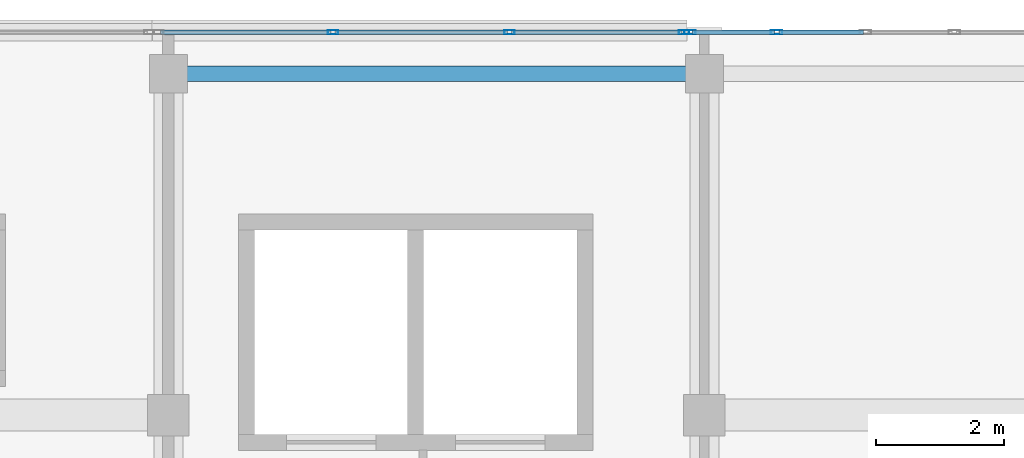
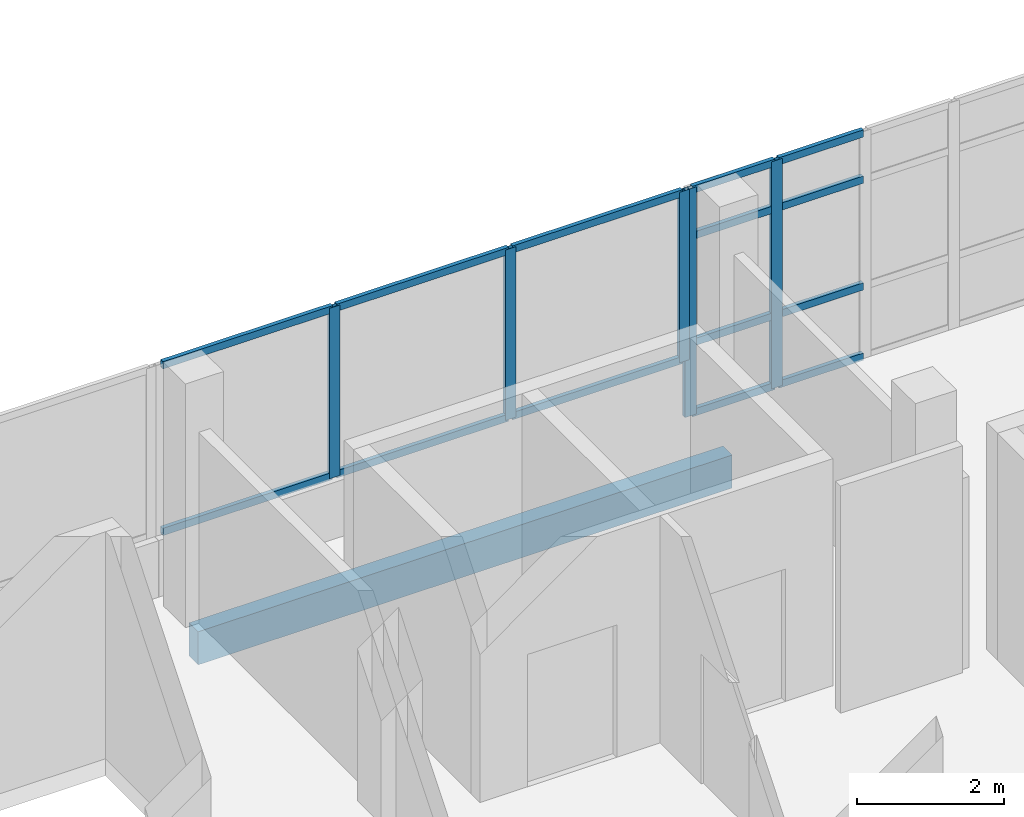
# One storey, part 36 of 78: 19 members, 1 beam, 2 elements without a shape of their own.
"""IFC4 building model written with IfcOpenShell, lengths in metres."""

from ifc_helpers import new_model, si_unit, direction, frame, origin, origin_2d, place, context, subcontext, project, spatial, rectangle, hollow_rectangle, extrude, material, material_profile, profile_set, type_object, element, aggregate, save


model = new_model("IFC4")

# Units and contexts
model_context = context("Model", 3, precision=1e-05, world=origin(), true_north=direction((0.0, 1.0)))
body_context = subcontext(model_context, "Body", "Model", "MODEL_VIEW")
ifc_project = project(units=[si_unit("LENGTHUNIT", "METRE"), si_unit("AREAUNIT", "SQUARE_METRE"), si_unit("VOLUMEUNIT", "CUBIC_METRE"), si_unit("PLANEANGLEUNIT", "RADIAN"), si_unit("MASSUNIT", "GRAM", prefix="KILO")], contexts=[model_context])

# Site, building, storey
site_placement = place(None, origin())
site = spatial("IfcSite", under=ifc_project, at=site_placement, CompositionType="ELEMENT")
building_placement = place(site_placement, origin())
building = spatial("IfcBuilding", under=site, at=building_placement, Name="Selatvlak General Hospital", CompositionType="ELEMENT")
storey_placement = place(building_placement, frame((0.0, 0.0, 23.25)))
storey = spatial("IfcBuildingStorey", under=building, at=storey_placement, Name="L05", CompositionType="ELEMENT", Elevation=23.25)

# Beam
ifc_material_1 = material(Name="Concrete C40/50", Category="concrete")
ifc_material_profile_1 = material_profile(ifc_material_1, rectangle(XDim=0.25, YDim=0.550048828125, at=origin_2d()), Name="RC-SP 250x550")
ifc_profile_set_1 = profile_set([ifc_material_profile_1], Name="Concrete C40/50")
beam_type = type_object("IfcBeamType", Name="BM-SP2", PredefinedType="SPANDREL", material=ifc_profile_set_1)
beam_placement = place(storey_placement, frame((123.60009765625, 119.35009765625, -0.554931640625), z_axis=(1.0, 0.0, 0.0), x_axis=(0.0, 1.0, 0.0)))
element("IfcBeam", 1, at=beam_placement, inside=storey, type_object=beam_type, Name="Beam BMR-L05-1982", PredefinedType="SPANDREL", context=body_context, shape_type="SweptSolid", body=[
    extrude(rectangle(XDim=0.25, YDim=0.550048828125, at=origin_2d()), origin(), (0.0, 0.0, 1.0), 8.39990234375),
])

# Curtain wall, members
ifc_material_2 = material(Name="Solar-control Low-E double glazing", Category="glass")
curtain_wall_type_1 = type_object("IfcCurtainWallType", Name="CW-CW-01", PredefinedType="USERDEFINED", material=ifc_material_2)
curtain_wall_1_placement = place(storey_placement, origin())
curtain_wall_1 = element("IfcCurtainWall", 2, at=curtain_wall_1_placement, inside=storey, type_object=curtain_wall_type_1, Name="Glazed facade curtain wall CW-L05-0559", ObjectType="UNITISED CURTAIN WALL", PredefinedType="USERDEFINED")
ifc_material_3 = material(Name="Dark anodised aluminium mullion", Category="aluminium")
ifc_material_profile_2 = material_profile(ifc_material_3, hollow_rectangle(XDim=0.06494140625, YDim=0.159912109375, WallThickness=0.00390625, at=origin_2d()), Name="AL-MUL 65x160x4")
ifc_profile_set_2 = profile_set([ifc_material_profile_2], Name="Dark anodised aluminium mullion")
member_type_1 = type_object("IfcMemberType", Name="CWM-01", PredefinedType="MULLION", material=ifc_profile_set_2)
member_1_placement = place(storey_placement, frame((126.17822265625, 120.0, 0.93994140625), z_axis=(0.0, 0.0, 1.0), x_axis=(0.0, 1.0, 0.0)))
member_1 = element("IfcMember", 3, at=member_1_placement, type_object=member_type_1, Name="CW-01 mullion 2", PredefinedType="MULLION", context=body_context, shape_type="SweptSolid", body=[
    extrude(hollow_rectangle(XDim=0.06494140625, YDim=0.159912109375, WallThickness=0.00390625, at=origin_2d()), origin(), (0.0, 0.0, 1.0), 2.8349609375),
])
member_2_placement = place(storey_placement, frame((128.944580078125, 120.0, 0.93994140625), z_axis=(0.0, 0.0, 1.0), x_axis=(0.0, 1.0, 0.0)))
member_2 = element("IfcMember", 4, at=member_2_placement, type_object=member_type_1, Name="CW-01 mullion 3", PredefinedType="MULLION", context=body_context, shape_type="SweptSolid", body=[
    extrude(hollow_rectangle(XDim=0.06494140625, YDim=0.159912109375, WallThickness=0.00390625, at=origin_2d()), origin(), (0.0, 0.0, 1.0), 2.8349609375),
])
member_3_placement = place(storey_placement, frame((131.678466796875, 120.0, 0.93994140625), z_axis=(0.0, 0.0, 1.0), x_axis=(0.0, 1.0, 0.0)))
member_3 = element("IfcMember", 5, at=member_3_placement, type_object=member_type_1, Name="CW-01 mullion 4", PredefinedType="MULLION", context=body_context, shape_type="SweptSolid", body=[
    extrude(hollow_rectangle(XDim=0.06494140625, YDim=0.159912109375, WallThickness=0.00390625, at=origin_2d()), origin(), (0.0, 0.0, 1.0), 2.8349609375),
])

curtain_wall_type_2 = type_object("IfcCurtainWallType", Name="CW-CW-04", PredefinedType="USERDEFINED", material=ifc_material_2)
curtain_wall_2_placement = place(storey_placement, origin())
curtain_wall_2 = element("IfcCurtainWall", 6, at=curtain_wall_2_placement, inside=storey, type_object=curtain_wall_type_2, Name="Glazed facade curtain wall CW-L05-0560", ObjectType="STICK GLAZING WALL", PredefinedType="USERDEFINED")
ifc_material_profile_3 = material_profile(ifc_material_3, hollow_rectangle(XDim=0.06494140625, YDim=0.179931640625, WallThickness=0.00439453125, at=origin_2d()), Name="AL-MUL 65x180x4.5")
ifc_profile_set_3 = profile_set([ifc_material_profile_3], Name="Dark anodised aluminium mullion")
member_type_2 = type_object("IfcMemberType", Name="CWM-02", PredefinedType="MULLION", material=ifc_profile_set_3)
member_4_placement = place(storey_placement, frame((131.7734375, 120.0, 0.0), z_axis=(0.0, 0.0, 1.0), x_axis=(0.0, 1.0, 0.0)))
member_4 = element("IfcMember", 7, at=member_4_placement, type_object=member_type_2, Name="CW-04 mullion 1", PredefinedType="MULLION", context=body_context, shape_type="SweptSolid", body=[
    extrude(hollow_rectangle(XDim=0.06494140625, YDim=0.179931640625, WallThickness=0.00439453125, at=origin_2d()), origin(), (0.0, 0.0, 1.0), 3.77490234375),
])
member_5_placement = place(storey_placement, frame((133.132568359375, 120.0, 0.0), z_axis=(0.0, 0.0, 1.0), x_axis=(0.0, 1.0, 0.0)))
member_5 = element("IfcMember", 8, at=member_5_placement, type_object=member_type_2, Name="CW-04 mullion 2", PredefinedType="MULLION", context=body_context, shape_type="SweptSolid", body=[
    extrude(hollow_rectangle(XDim=0.06494140625, YDim=0.179931640625, WallThickness=0.00439453125, at=origin_2d()), origin(), (0.0, 0.0, 1.0), 3.77490234375),
])

# Member
ifc_material_profile_4 = material_profile(ifc_material_3, hollow_rectangle(XDim=0.06494140625, YDim=0.1201171875, WallThickness=0.00390625, at=origin_2d()), Name="AL-TRN 65x120x4")
ifc_profile_set_4 = profile_set([ifc_material_profile_4], Name="Dark anodised aluminium mullion")
member_type_3 = type_object("IfcMemberType", Name="CWT-01", PredefinedType="USERDEFINED", material=ifc_profile_set_4)
member_6_placement = place(storey_placement, frame((123.47705078125, 120.0, 0.972412109375), z_axis=(1.0, 0.0, 0.0), x_axis=(0.0, 1.0, 0.0)))
member_6 = element("IfcMember", 9, at=member_6_placement, type_object=member_type_3, Name="CW-01 transom 1.1", ObjectType="TRANSOM", PredefinedType="USERDEFINED", context=body_context, shape_type="SweptSolid", body=[
    extrude(hollow_rectangle(XDim=0.06494140625, YDim=0.1201171875, WallThickness=0.00390625, at=origin_2d()), origin(), (0.0, 0.0, 1.0), 2.668701171875),
])

member_7_placement = place(storey_placement, frame((123.47705078125, 120.0, 3.742431640625), z_axis=(1.0, 0.0, 0.0), x_axis=(0.0, 1.0, 0.0)))
member_7 = element("IfcMember", 10, at=member_7_placement, type_object=member_type_3, Name="CW-01 transom 1.2", ObjectType="TRANSOM", PredefinedType="USERDEFINED", context=body_context, shape_type="SweptSolid", body=[
    extrude(hollow_rectangle(XDim=0.06494140625, YDim=0.1201171875, WallThickness=0.00390625, at=origin_2d()), origin(), (0.0, 0.0, 1.0), 2.668701171875),
])

member_8_placement = place(storey_placement, frame((126.2109375, 120.0, 0.972412109375), z_axis=(1.0, 0.0, 0.0), x_axis=(0.0, 1.0, 0.0)))
member_8 = element("IfcMember", 11, at=member_8_placement, type_object=member_type_3, Name="CW-01 transom 2.1", ObjectType="TRANSOM", PredefinedType="USERDEFINED", context=body_context, shape_type="SweptSolid", body=[
    extrude(hollow_rectangle(XDim=0.06494140625, YDim=0.1201171875, WallThickness=0.00390625, at=origin_2d()), origin(), (0.0, 0.0, 1.0), 2.701171875),
])

member_9_placement = place(storey_placement, frame((126.2109375, 120.0, 3.742431640625), z_axis=(1.0, 0.0, 0.0), x_axis=(0.0, 1.0, 0.0)))
member_9 = element("IfcMember", 12, at=member_9_placement, type_object=member_type_3, Name="CW-01 transom 2.2", ObjectType="TRANSOM", PredefinedType="USERDEFINED", context=body_context, shape_type="SweptSolid", body=[
    extrude(hollow_rectangle(XDim=0.06494140625, YDim=0.1201171875, WallThickness=0.00390625, at=origin_2d()), origin(), (0.0, 0.0, 1.0), 2.701171875),
])

member_10_placement = place(storey_placement, frame((128.97705078125, 120.0, 0.972412109375), z_axis=(1.0, 0.0, 0.0), x_axis=(0.0, 1.0, 0.0)))
member_10 = element("IfcMember", 13, at=member_10_placement, type_object=member_type_3, Name="CW-01 transom 3.1", ObjectType="TRANSOM", PredefinedType="USERDEFINED", context=body_context, shape_type="SweptSolid", body=[
    extrude(hollow_rectangle(XDim=0.06494140625, YDim=0.1201171875, WallThickness=0.00390625, at=origin_2d()), origin(), (0.0, 0.0, 1.0), 2.6689453125),
])

member_11_placement = place(storey_placement, frame((128.97705078125, 120.0, 3.742431640625), z_axis=(1.0, 0.0, 0.0), x_axis=(0.0, 1.0, 0.0)))
member_11 = element("IfcMember", 14, at=member_11_placement, type_object=member_type_3, Name="CW-01 transom 3.2", ObjectType="TRANSOM", PredefinedType="USERDEFINED", context=body_context, shape_type="SweptSolid", body=[
    extrude(hollow_rectangle(XDim=0.06494140625, YDim=0.1201171875, WallThickness=0.00390625, at=origin_2d()), origin(), (0.0, 0.0, 1.0), 2.6689453125),
])

aggregate(curtain_wall_1, [member_1, member_2, member_3, member_6, member_7, member_8, member_9, member_10, member_11])

member_12_placement = place(storey_placement, frame((131.805908203125, 120.0, 0.032470703125), z_axis=(1.0, 0.0, 0.0), x_axis=(0.0, 1.0, 0.0)))
member_12 = element("IfcMember", 15, at=member_12_placement, type_object=member_type_3, Name="CW-04 transom 1.1", ObjectType="TRANSOM", PredefinedType="USERDEFINED", context=body_context, shape_type="SweptSolid", body=[
    extrude(hollow_rectangle(XDim=0.06494140625, YDim=0.1201171875, WallThickness=0.00390625, at=origin_2d()), origin(), (0.0, 0.0, 1.0), 1.294189453125),
])

member_13_placement = place(storey_placement, frame((131.805908203125, 120.0, 1.199951171875), z_axis=(1.0, 0.0, 0.0), x_axis=(0.0, 1.0, 0.0)))
member_13 = element("IfcMember", 16, at=member_13_placement, type_object=member_type_3, Name="CW-04 transom 1.2", ObjectType="TRANSOM", PredefinedType="USERDEFINED", context=body_context, shape_type="SweptSolid", body=[
    extrude(hollow_rectangle(XDim=0.06494140625, YDim=0.1201171875, WallThickness=0.00390625, at=origin_2d()), origin(), (0.0, 0.0, 1.0), 1.294189453125),
])

member_14_placement = place(storey_placement, frame((131.805908203125, 120.0, 2.97509765625), z_axis=(1.0, 0.0, 0.0), x_axis=(0.0, 1.0, 0.0)))
member_14 = element("IfcMember", 17, at=member_14_placement, type_object=member_type_3, Name="CW-04 transom 1.3", ObjectType="TRANSOM", PredefinedType="USERDEFINED", context=body_context, shape_type="SweptSolid", body=[
    extrude(hollow_rectangle(XDim=0.06494140625, YDim=0.1201171875, WallThickness=0.00390625, at=origin_2d()), origin(), (0.0, 0.0, 1.0), 1.294189453125),
])

member_15_placement = place(storey_placement, frame((131.805908203125, 120.0, 3.742431640625), z_axis=(1.0, 0.0, 0.0), x_axis=(0.0, 1.0, 0.0)))
member_15 = element("IfcMember", 18, at=member_15_placement, type_object=member_type_3, Name="CW-04 transom 1.4", ObjectType="TRANSOM", PredefinedType="USERDEFINED", context=body_context, shape_type="SweptSolid", body=[
    extrude(hollow_rectangle(XDim=0.06494140625, YDim=0.1201171875, WallThickness=0.00390625, at=origin_2d()), origin(), (0.0, 0.0, 1.0), 1.294189453125),
])

member_16_placement = place(storey_placement, frame((133.1650390625, 120.0, 0.032470703125), z_axis=(1.0, 0.0, 0.0), x_axis=(0.0, 1.0, 0.0)))
member_16 = element("IfcMember", 19, at=member_16_placement, type_object=member_type_3, Name="CW-04 transom 2.1", ObjectType="TRANSOM", PredefinedType="USERDEFINED", context=body_context, shape_type="SweptSolid", body=[
    extrude(hollow_rectangle(XDim=0.06494140625, YDim=0.1201171875, WallThickness=0.00390625, at=origin_2d()), origin(), (0.0, 0.0, 1.0), 1.326416015625),
])

member_17_placement = place(storey_placement, frame((133.1650390625, 120.0, 1.199951171875), z_axis=(1.0, 0.0, 0.0), x_axis=(0.0, 1.0, 0.0)))
member_17 = element("IfcMember", 20, at=member_17_placement, type_object=member_type_3, Name="CW-04 transom 2.2", ObjectType="TRANSOM", PredefinedType="USERDEFINED", context=body_context, shape_type="SweptSolid", body=[
    extrude(hollow_rectangle(XDim=0.06494140625, YDim=0.1201171875, WallThickness=0.00390625, at=origin_2d()), origin(), (0.0, 0.0, 1.0), 1.326416015625),
])

member_18_placement = place(storey_placement, frame((133.1650390625, 120.0, 2.97509765625), z_axis=(1.0, 0.0, 0.0), x_axis=(0.0, 1.0, 0.0)))
member_18 = element("IfcMember", 21, at=member_18_placement, type_object=member_type_3, Name="CW-04 transom 2.3", ObjectType="TRANSOM", PredefinedType="USERDEFINED", context=body_context, shape_type="SweptSolid", body=[
    extrude(hollow_rectangle(XDim=0.06494140625, YDim=0.1201171875, WallThickness=0.00390625, at=origin_2d()), origin(), (0.0, 0.0, 1.0), 1.326416015625),
])

member_19_placement = place(storey_placement, frame((133.1650390625, 120.0, 3.742431640625), z_axis=(1.0, 0.0, 0.0), x_axis=(0.0, 1.0, 0.0)))
member_19 = element("IfcMember", 22, at=member_19_placement, type_object=member_type_3, Name="CW-04 transom 2.4", ObjectType="TRANSOM", PredefinedType="USERDEFINED", context=body_context, shape_type="SweptSolid", body=[
    extrude(hollow_rectangle(XDim=0.06494140625, YDim=0.1201171875, WallThickness=0.00390625, at=origin_2d()), origin(), (0.0, 0.0, 1.0), 1.326416015625),
])

aggregate(curtain_wall_2, [member_4, member_5, member_12, member_13, member_14, member_15, member_16, member_17, member_18, member_19])

save(model, "model.ifc")
